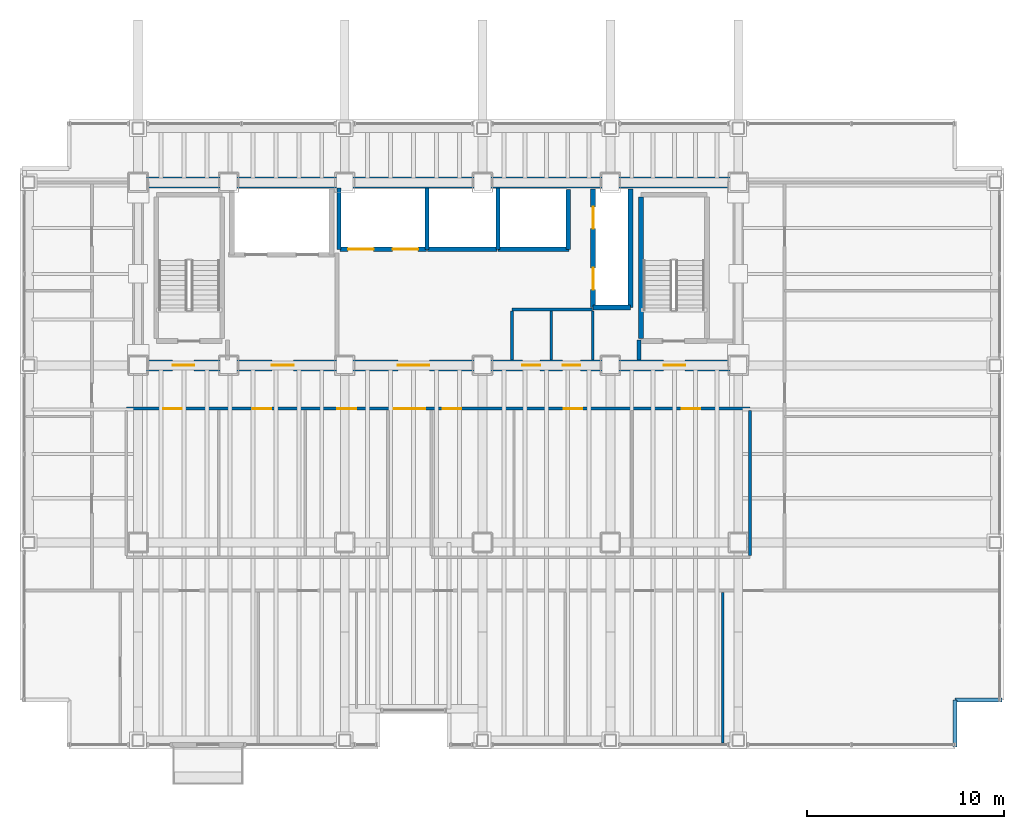
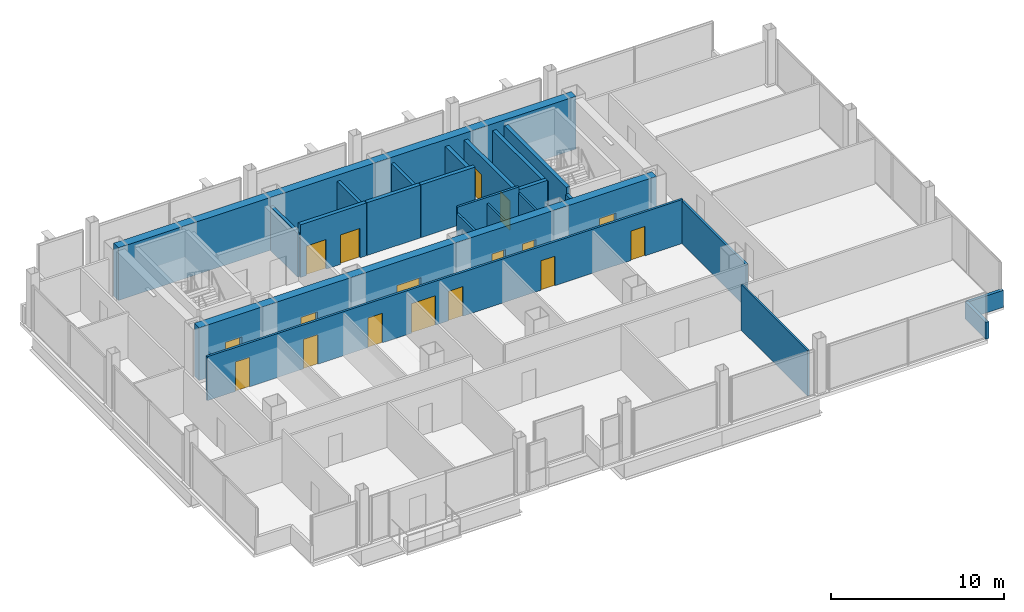
# One storey, part 19 of 21: 23 walls, 17 doors, 17 openings.
"""IFC4 building model written with IfcOpenShell, lengths in metres."""

from ifc_helpers import new_model, si_unit, direction, frame, frame_2d, origin, place, context, subcontext, project, spatial, rectangle, extrude, material, layer, layer_set, type_object, element, fill, save


model = new_model("IFC4")

# Units and contexts
model_context = context("Model", 3, precision=1e-05, world=origin(), true_north=direction((0.0, 1.0)))
body_context = subcontext(model_context, "Body", "Model", "MODEL_VIEW")
ifc_project = project(units=[si_unit("LENGTHUNIT", "METRE"), si_unit("AREAUNIT", "SQUARE_METRE"), si_unit("VOLUMEUNIT", "CUBIC_METRE"), si_unit("PLANEANGLEUNIT", "RADIAN"), si_unit("MASSUNIT", "GRAM", prefix="KILO")], contexts=[model_context])

# Site, building, storey
site_placement = place(None, origin())
site = spatial("IfcSite", under=ifc_project, at=site_placement, CompositionType="ELEMENT")
building_placement = place(site_placement, origin())
building = spatial("IfcBuilding", under=site, at=building_placement, Name="Noeulbin Bourse Tower", CompositionType="ELEMENT")
storey_placement = place(building_placement, frame((0.0, 0.0, 81.10009765625)))
storey = spatial("IfcBuildingStorey", under=building, at=storey_placement, Name="L20", CompositionType="ELEMENT", Elevation=81.10009765625)

# Wall, openings, doors
ifc_material_1 = material(Name="Concrete C60/75", Category="concrete")
ifc_layer_1 = layer(ifc_material_1, 0.550048828125)
ifc_layer_set_1 = layer_set([ifc_layer_1], Name="Concrete C60/75")
wall_type_1 = type_object("IfcWallType", Name="WAL-CORE-550", PredefinedType="SHEAR", material=ifc_layer_set_1)
wall_1_placement = place(storey_placement, frame((13.5, 29.0, 0.0), z_axis=(0.0, 0.0, 1.0), x_axis=(1.0, 0.0, 0.0)))
wall_1 = element("IfcWall", 1, at=wall_1_placement, inside=storey, type_object=wall_type_1, Name="Rear Core South Shear Wall L20", PredefinedType="SHEAR", context=body_context, shape_type="SweptSolid", body=[
    extrude(rectangle(XDim=30.5, YDim=0.550048828125, at=frame_2d((15.25, 0.0))), origin(), (0.0, 0.0, 1.0), 3.719970703125),
])
opening_1_placement = place(wall_1_placement, frame((1.75, 0.0, 0.0)))
opening_1 = element("IfcOpeningElement", 2, at=opening_1_placement, cuts=wall_1, Name="Opening FD-11", PredefinedType="OPENING", context=body_context, shape_type="SweptSolid", body=[
    extrude(rectangle(XDim=1.10009765625, YDim=2.080078125, at=frame_2d((0.550048828125, 1.0400390625))), frame((0.0, 0.284912109375, 0.0), z_axis=(0.0, -1.0, 0.0), x_axis=(1.0, 0.0, 0.0)), (0.0, 0.0, 1.0), 0.570068359375),
])
opening_2_placement = place(wall_1_placement, frame((26.699951171875, 0.0, 0.0)))
opening_2 = element("IfcOpeningElement", 3, at=opening_2_placement, cuts=wall_1, Name="Opening FD-11", PredefinedType="OPENING", context=body_context, shape_type="SweptSolid", body=[
    extrude(rectangle(XDim=1.10009765625, YDim=2.080078125, at=frame_2d((0.550048828125, 1.0400390625))), frame((0.0, 0.284912109375, 0.0), z_axis=(0.0, -1.0, 0.0), x_axis=(1.0, 0.0, 0.0)), (0.0, 0.0, 1.0), 0.570068359375),
])
opening_3_placement = place(wall_1_placement, frame((6.800048828125, 0.0, 0.0)))
opening_3 = element("IfcOpeningElement", 4, at=opening_3_placement, cuts=wall_1, Name="Opening FD-11", PredefinedType="OPENING", context=body_context, shape_type="SweptSolid", body=[
    extrude(rectangle(XDim=1.10009765625, YDim=2.080078125, at=frame_2d((0.550048828125, 1.0400390625))), frame((0.0, 0.284912109375, 0.0), z_axis=(0.0, -1.0, 0.0), x_axis=(1.0, 0.0, 0.0)), (0.0, 0.0, 1.0), 0.570068359375),
])
opening_4_placement = place(wall_1_placement, frame((13.199951171875, 0.0, 0.0)))
opening_4 = element("IfcOpeningElement", 5, at=opening_4_placement, cuts=wall_1, Name="Opening ID-16", PredefinedType="OPENING", context=body_context, shape_type="SweptSolid", body=[
    extrude(rectangle(XDim=1.60009765625, YDim=2.080078125, at=frame_2d((0.800048828125, 1.0400390625))), frame((0.0, 0.284912109375, 0.0), z_axis=(0.0, -1.0, 0.0), x_axis=(1.0, 0.0, 0.0)), (0.0, 0.0, 1.0), 0.570068359375),
])
opening_5_placement = place(wall_1_placement, frame((19.530029296875, 0.0, 0.0)))
opening_5 = element("IfcOpeningElement", 6, at=opening_5_placement, cuts=wall_1, Name="Opening FD-09", PredefinedType="OPENING", context=body_context, shape_type="SweptSolid", body=[
    extrude(rectangle(XDim=0.89990234375, YDim=2.080078125, at=frame_2d((0.449951171875, 1.0400390625))), frame((0.0, 0.284912109375, 0.0), z_axis=(0.0, -1.0, 0.0), x_axis=(1.0, 0.0, 0.0)), (0.0, 0.0, 1.0), 0.570068359375),
])
opening_6_placement = place(wall_1_placement, frame((21.570068359375, 0.0, 0.0)))
opening_6 = element("IfcOpeningElement", 7, at=opening_6_placement, cuts=wall_1, Name="Opening FD-09", PredefinedType="OPENING", context=body_context, shape_type="SweptSolid", body=[
    extrude(rectangle(XDim=0.89990234375, YDim=2.080078125, at=frame_2d((0.449951171875, 1.0400390625))), frame((0.0, 0.284912109375, 0.0), z_axis=(0.0, -1.0, 0.0), x_axis=(1.0, 0.0, 0.0)), (0.0, 0.0, 1.0), 0.570068359375),
])
ifc_material_2 = material(Name="Acoustic Glazed Aluminium", Category="aluminium")
door_type_1 = type_object("IfcDoorType", Name="DR-DBL-1600", OperationType="DOUBLE_DOOR_SINGLE_SWING", PredefinedType="DOOR", material=ifc_material_2)
door_1_placement = place(opening_4_placement, origin())
door_1 = element("IfcDoor", 8, at=door_1_placement, inside=storey, type_object=door_type_1, Name="Passenger Lift Lobby Portal L20", OperationType="DOUBLE_DOOR_SINGLE_SWING", OverallHeight=2.080078125, OverallWidth=1.60009765625, PredefinedType="DOOR", context=body_context, shape_type="SweptSolid", body=[
    extrude(rectangle(XDim=1.60009765625, YDim=2.080078125, at=frame_2d((0.800048828125, 1.0400390625))), frame((0.0, 0.02490234375, 0.0), z_axis=(0.0, -1.0, 0.0), x_axis=(1.0, 0.0, 0.0)), (0.0, 0.0, 1.0), 0.050048828125),
])
fill(opening_4, door_1)
ifc_material_3 = material(Name="Fire-Rated Timber Core", Category="wood")
door_type_2 = type_object("IfcDoorType", Name="DR-FD30-900", OperationType="SINGLE_SWING_RIGHT", PredefinedType="DOOR", material=ifc_material_3)
door_2_placement = place(opening_5_placement, origin())
door_2 = element("IfcDoor", 9, at=door_2_placement, inside=storey, type_object=door_type_2, Name="Interior Door L20-05", OperationType="SINGLE_SWING_LEFT", OverallHeight=2.080078125, OverallWidth=0.89990234375, PredefinedType="DOOR", context=body_context, shape_type="SweptSolid", body=[
    extrude(rectangle(XDim=0.89990234375, YDim=2.080078125, at=frame_2d((0.449951171875, 1.0400390625))), frame((0.0, 0.02490234375, 0.0), z_axis=(0.0, -1.0, 0.0), x_axis=(1.0, 0.0, 0.0)), (0.0, 0.0, 1.0), 0.050048828125),
])
fill(opening_5, door_2)
door_3_placement = place(opening_6_placement, origin())
door_3 = element("IfcDoor", 10, at=door_3_placement, inside=storey, type_object=door_type_2, Name="Interior Door L20-06", OperationType="SINGLE_SWING_RIGHT", OverallHeight=2.080078125, OverallWidth=0.89990234375, PredefinedType="DOOR", context=body_context, shape_type="SweptSolid", body=[
    extrude(rectangle(XDim=0.89990234375, YDim=2.080078125, at=frame_2d((0.449951171875, 1.0400390625))), frame((0.0, 0.02490234375, 0.0), z_axis=(0.0, -1.0, 0.0), x_axis=(1.0, 0.0, 0.0)), (0.0, 0.0, 1.0), 0.050048828125),
])
fill(opening_6, door_3)
ifc_material_4 = material(Name="Fire-Rated Insulated Steel", Category="steel")
door_type_3 = type_object("IfcDoorType", Name="DR-FD60-1100", OperationType="SINGLE_SWING_LEFT", PredefinedType="DOOR", material=ifc_material_4)
door_4_placement = place(opening_1_placement, origin())
door_4 = element("IfcDoor", 11, at=door_4_placement, inside=storey, type_object=door_type_3, Name="West Stair Lobby Door L20", OperationType="SINGLE_SWING_LEFT", OverallHeight=2.080078125, OverallWidth=1.10009765625, PredefinedType="DOOR", context=body_context, shape_type="SweptSolid", body=[
    extrude(rectangle(XDim=1.10009765625, YDim=2.080078125, at=frame_2d((0.550048828125, 1.0400390625))), frame((0.0, 0.02490234375, 0.0), z_axis=(0.0, -1.0, 0.0), x_axis=(1.0, 0.0, 0.0)), (0.0, 0.0, 1.0), 0.050048828125),
])
fill(opening_1, door_4)
door_5_placement = place(opening_2_placement, origin())
door_5 = element("IfcDoor", 12, at=door_5_placement, inside=storey, type_object=door_type_3, Name="East Stair Lobby Door L20", OperationType="SINGLE_SWING_RIGHT", OverallHeight=2.080078125, OverallWidth=1.10009765625, PredefinedType="DOOR", context=body_context, shape_type="SweptSolid", body=[
    extrude(rectangle(XDim=1.10009765625, YDim=2.080078125, at=frame_2d((0.550048828125, 1.0400390625))), frame((0.0, 0.02490234375, 0.0), z_axis=(0.0, -1.0, 0.0), x_axis=(1.0, 0.0, 0.0)), (0.0, 0.0, 1.0), 0.050048828125),
])
fill(opening_2, door_5)
door_6_placement = place(opening_3_placement, origin())
door_6 = element("IfcDoor", 13, at=door_6_placement, inside=storey, type_object=door_type_3, Name="Firefighting Lobby Door L20", OperationType="SINGLE_SWING_LEFT", OverallHeight=2.080078125, OverallWidth=1.10009765625, PredefinedType="DOOR", context=body_context, shape_type="SweptSolid", body=[
    extrude(rectangle(XDim=1.10009765625, YDim=2.080078125, at=frame_2d((0.550048828125, 1.0400390625))), frame((0.0, 0.02490234375, 0.0), z_axis=(0.0, -1.0, 0.0), x_axis=(1.0, 0.0, 0.0)), (0.0, 0.0, 1.0), 0.050048828125),
])
fill(opening_3, door_6)

# Walls
wall_2_placement = place(storey_placement, frame((13.5, 38.300048828125, 0.0), z_axis=(0.0, 0.0, 1.0), x_axis=(1.0, 0.0, 0.0)))
element("IfcWall", 14, at=wall_2_placement, inside=storey, type_object=wall_type_1, Name="Rear Core North Shear Wall L20", PredefinedType="SHEAR", context=body_context, shape_type="SweptSolid", body=[
    extrude(rectangle(XDim=30.5, YDim=0.550048828125, at=frame_2d((15.25, 0.0))), origin(), (0.0, 0.0, 1.0), 3.719970703125),
])
ifc_material_5 = material(Name="Concrete C40/50", Category="concrete")
ifc_layer_2 = layer(ifc_material_5, 0.199951171875)
ifc_layer_set_2 = layer_set([ifc_layer_2], Name="Concrete C40/50")
wall_type_2 = type_object("IfcWallType", Name="WAL-FIRE-200", PredefinedType="STANDARD", material=ifc_layer_set_2)
wall_3_placement = place(storey_placement, frame((38.949951171875, 29.284912109375, 0.0), z_axis=(0.0, 0.0, 1.0), x_axis=(0.0, 1.0, 0.0)))
element("IfcWall", 15, at=wall_3_placement, inside=storey, type_object=wall_type_2, Name="Interior Partition Wall L20-14", PredefinedType="STANDARD", context=body_context, shape_type="SweptSolid", body=[
    extrude(rectangle(XDim=1.01513671875, YDim=0.199951171875, at=frame_2d((0.507568359375, 0.0))), origin(), (0.0, 0.0, 1.0), 3.2998046875),
])
ifc_layer_3 = layer(ifc_material_5, 0.199951171875)
ifc_layer_set_3 = layer_set([ifc_layer_3], Name="Concrete C40/50")
wall_type_3 = type_object("IfcWallType", Name="WAL-PAR-200", PredefinedType="PARAPET", material=ifc_layer_set_3)
for number, where, z_axis, x_axis, name in (
    (16, (55.0, 9.60009765625, 0.0), (0.0, 0.0, 1.0), (0.0, 1.0, 0.0), "Corner Notch Parapet L20-SE1"),
    (17, (55.0, 12.0, 0.0), (0.0, 0.0, 1.0), (1.0, 0.0, 0.0), "Corner Notch Parapet L20-SE2"),
):
    element("IfcWall", number, at=place(storey_placement, frame(where, z_axis=z_axis, x_axis=x_axis)), inside=storey, type_object=wall_type_3, Name=name, PredefinedType="PARAPET", context=body_context, shape_type="SweptSolid", body=[
        extrude(rectangle(XDim=2.39990234375, YDim=0.199951171875, at=frame_2d((1.199951171875, 0.0))), origin(), (0.0, 0.0, 1.0), 1.199951171875),
    ])
ifc_material_6 = material(Name="Steel Stud Gypsum Partition", Category="steel")
ifc_layer_4 = layer(ifc_material_6, 0.1201171875)
ifc_layer_set_4 = layer_set([ifc_layer_4], Name="Steel Stud Gypsum Partition")
wall_type_4 = type_object("IfcWallType", Name="WAL-PRT-120", PredefinedType="PARTITIONING", material=ifc_layer_set_4)
for number, where, z_axis, x_axis, name in (
    (18, (36.60009765625, 29.284912109375, 0.0), (0.0, 0.0, 1.0), (0.0, 1.0, 0.0), "Interior Partition Wall L20-17"),
    (19, (34.5, 29.284912109375, 0.0), (0.0, 0.0, 1.0), (0.0, 1.0, 0.0), "Interior Partition Wall L20-18"),
):
    element("IfcWall", number, at=place(storey_placement, frame(where, z_axis=z_axis, x_axis=x_axis)), inside=storey, type_object=wall_type_4, Name=name, PredefinedType="PARTITIONING", context=body_context, shape_type="SweptSolid", body=[
        extrude(rectangle(XDim=2.47998046875, YDim=0.1201171875, at=frame_2d((1.239990234375, 0.0))), origin(), (0.0, 0.0, 1.0), 3.2998046875),
    ])
wall_4_placement = place(storey_placement, frame((43.199951171875, 9.81005859375, 0.0), z_axis=(0.0, 0.0, 1.0), x_axis=(0.0, 1.0, 0.0)))
element("IfcWall", 20, at=wall_4_placement, inside=storey, type_object=wall_type_4, Name="Interior Partition Wall L20-29", PredefinedType="PARTITIONING", context=body_context, shape_type="SweptSolid", body=[
    extrude(rectangle(XDim=7.655029296875, YDim=0.1201171875, at=frame_2d((3.82763671875, 0.0))), origin(), (0.0, 0.0, 1.0), 3.2119140625),
])
ifc_material_7 = material(Name="Steel Stud Acoustic Gypsum Board", Category="steel")
ifc_layer_5 = layer(ifc_material_7, 0.14990234375)
ifc_layer_set_5 = layer_set([ifc_layer_5], Name="Steel Stud Acoustic Gypsum Board")
wall_type_5 = type_object("IfcWallType", Name="WAL-PRT-150", PredefinedType="PARTITIONING", material=ifc_layer_set_5)
wall_5_placement = place(storey_placement, frame((32.5, 31.85009765625, 0.0), z_axis=(0.0, 0.0, 1.0), x_axis=(1.0, 0.0, 0.0)))
element("IfcWall", 21, at=wall_5_placement, inside=storey, type_object=wall_type_5, Name="Interior Partition Wall L20-02", PredefinedType="PARTITIONING", context=body_context, shape_type="SweptSolid", body=[
    extrude(rectangle(XDim=4.10009765625, YDim=0.14990234375, at=frame_2d((2.050048828125, 0.0))), origin(), (0.0, 0.0, 1.0), 3.719970703125),
])

# Wall, openings, doors
wall_6_placement = place(storey_placement, frame((12.89990234375, 26.800048828125, 0.0), z_axis=(0.0, 0.0, 1.0), x_axis=(1.0, 0.0, 0.0)))
wall_6 = element("IfcWall", 22, at=wall_6_placement, inside=storey, type_object=wall_type_5, Name="Interior Partition Wall L20-03", PredefinedType="PARTITIONING", context=body_context, shape_type="SweptSolid", body=[
    extrude(rectangle(XDim=31.7001953125, YDim=0.14990234375, at=frame_2d((15.85009765625, 0.0))), origin(), (0.0, 0.0, 1.0), 3.099853515625),
])
opening_7_placement = place(wall_6_placement, frame((13.60009765625, 0.0, 0.0)))
opening_7 = element("IfcOpeningElement", 23, at=opening_7_placement, cuts=wall_6, Name="Opening ID-16", PredefinedType="OPENING", context=body_context, shape_type="SweptSolid", body=[
    extrude(rectangle(XDim=1.60009765625, YDim=2.080078125, at=frame_2d((0.800048828125, 1.0400390625))), frame((0.0, 0.0849609375, 0.0), z_axis=(0.0, -1.0, 0.0), x_axis=(1.0, 0.0, 0.0)), (0.0, 0.0, 1.0), 0.169921875),
])
opening_8_placement = place(wall_6_placement, frame((1.875, 0.0, 0.0)))
opening_8 = element("IfcOpeningElement", 24, at=opening_8_placement, cuts=wall_6, Name="Opening ID-09", PredefinedType="OPENING", context=body_context, shape_type="SweptSolid", body=[
    extrude(rectangle(XDim=0.949951171875, YDim=2.080078125, at=frame_2d((0.47509765625, 1.0400390625))), frame((0.0, 0.0849609375, 0.0), z_axis=(0.0, -1.0, 0.0), x_axis=(1.0, 0.0, 0.0)), (0.0, 0.0, 1.0), 0.169921875),
])
opening_9_placement = place(wall_6_placement, frame((6.425048828125, 0.0, 0.0)))
opening_9 = element("IfcOpeningElement", 25, at=opening_9_placement, cuts=wall_6, Name="Opening ID-09", PredefinedType="OPENING", context=body_context, shape_type="SweptSolid", body=[
    extrude(rectangle(XDim=0.949951171875, YDim=2.080078125, at=frame_2d((0.47509765625, 1.0400390625))), frame((0.0, 0.0849609375, 0.0), z_axis=(0.0, -1.0, 0.0), x_axis=(1.0, 0.0, 0.0)), (0.0, 0.0, 1.0), 0.169921875),
])
opening_10_placement = place(wall_6_placement, frame((10.72509765625, 0.0, 0.0)))
opening_10 = element("IfcOpeningElement", 26, at=opening_10_placement, cuts=wall_6, Name="Opening ID-09", PredefinedType="OPENING", context=body_context, shape_type="SweptSolid", body=[
    extrude(rectangle(XDim=0.949951171875, YDim=2.080078125, at=frame_2d((0.47509765625, 1.0400390625))), frame((0.0, 0.0849609375, 0.0), z_axis=(0.0, -1.0, 0.0), x_axis=(1.0, 0.0, 0.0)), (0.0, 0.0, 1.0), 0.169921875),
])
opening_11_placement = place(wall_6_placement, frame((16.074951171875, 0.0, 0.0)))
opening_11 = element("IfcOpeningElement", 27, at=opening_11_placement, cuts=wall_6, Name="Opening ID-09", PredefinedType="OPENING", context=body_context, shape_type="SweptSolid", body=[
    extrude(rectangle(XDim=0.949951171875, YDim=2.080078125, at=frame_2d((0.47509765625, 1.0400390625))), frame((0.0, 0.0849609375, 0.0), z_axis=(0.0, -1.0, 0.0), x_axis=(1.0, 0.0, 0.0)), (0.0, 0.0, 1.0), 0.169921875),
])
opening_12_placement = place(wall_6_placement, frame((22.22509765625, 0.0, 0.0)))
opening_12 = element("IfcOpeningElement", 28, at=opening_12_placement, cuts=wall_6, Name="Opening ID-09", PredefinedType="OPENING", context=body_context, shape_type="SweptSolid", body=[
    extrude(rectangle(XDim=0.949951171875, YDim=2.080078125, at=frame_2d((0.47509765625, 1.0400390625))), frame((0.0, 0.0849609375, 0.0), z_axis=(0.0, -1.0, 0.0), x_axis=(1.0, 0.0, 0.0)), (0.0, 0.0, 1.0), 0.169921875),
])
opening_13_placement = place(wall_6_placement, frame((28.22509765625, 0.0, 0.0)))
opening_13 = element("IfcOpeningElement", 29, at=opening_13_placement, cuts=wall_6, Name="Opening ID-09", PredefinedType="OPENING", context=body_context, shape_type="SweptSolid", body=[
    extrude(rectangle(XDim=0.949951171875, YDim=2.080078125, at=frame_2d((0.47509765625, 1.0400390625))), frame((0.0, 0.0849609375, 0.0), z_axis=(0.0, -1.0, 0.0), x_axis=(1.0, 0.0, 0.0)), (0.0, 0.0, 1.0), 0.169921875),
])
door_7_placement = place(opening_7_placement, origin())
door_7 = element("IfcDoor", 30, at=door_7_placement, inside=storey, type_object=door_type_1, Name="Interior Door L20-07", OperationType="DOUBLE_DOOR_SINGLE_SWING", OverallHeight=2.080078125, OverallWidth=1.60009765625, PredefinedType="DOOR", context=body_context, shape_type="SweptSolid", body=[
    extrude(rectangle(XDim=1.60009765625, YDim=2.080078125, at=frame_2d((0.800048828125, 1.0400390625))), frame((0.0, 0.02490234375, 0.0), z_axis=(0.0, -1.0, 0.0), x_axis=(1.0, 0.0, 0.0)), (0.0, 0.0, 1.0), 0.050048828125),
])
fill(opening_7, door_7)
ifc_material_8 = material(Name="Acoustic Solid-Core Timber", Category="wood")
door_type_4 = type_object("IfcDoorType", Name="DR-SINGLE-950", OperationType="SINGLE_SWING_LEFT", PredefinedType="DOOR", material=ifc_material_8)
door_8_placement = place(opening_8_placement, origin())
door_8 = element("IfcDoor", 31, at=door_8_placement, inside=storey, type_object=door_type_4, Name="Interior Door L20-14", OperationType="SINGLE_SWING_RIGHT", OverallHeight=2.080078125, OverallWidth=0.949951171875, PredefinedType="DOOR", context=body_context, shape_type="SweptSolid", body=[
    extrude(rectangle(XDim=0.949951171875, YDim=2.080078125, at=frame_2d((0.47509765625, 1.0400390625))), frame((0.0, 0.02490234375, 0.0), z_axis=(0.0, -1.0, 0.0), x_axis=(1.0, 0.0, 0.0)), (0.0, 0.0, 1.0), 0.050048828125),
])
fill(opening_8, door_8)
door_9_placement = place(opening_9_placement, origin())
door_9 = element("IfcDoor", 32, at=door_9_placement, inside=storey, type_object=door_type_4, Name="Interior Door L20-15", OperationType="SINGLE_SWING_LEFT", OverallHeight=2.080078125, OverallWidth=0.949951171875, PredefinedType="DOOR", context=body_context, shape_type="SweptSolid", body=[
    extrude(rectangle(XDim=0.949951171875, YDim=2.080078125, at=frame_2d((0.47509765625, 1.0400390625))), frame((0.0, 0.02490234375, 0.0), z_axis=(0.0, -1.0, 0.0), x_axis=(1.0, 0.0, 0.0)), (0.0, 0.0, 1.0), 0.050048828125),
])
fill(opening_9, door_9)
door_10_placement = place(opening_10_placement, origin())
door_10 = element("IfcDoor", 33, at=door_10_placement, inside=storey, type_object=door_type_4, Name="Interior Door L20-16", OperationType="SINGLE_SWING_RIGHT", OverallHeight=2.080078125, OverallWidth=0.949951171875, PredefinedType="DOOR", context=body_context, shape_type="SweptSolid", body=[
    extrude(rectangle(XDim=0.949951171875, YDim=2.080078125, at=frame_2d((0.47509765625, 1.0400390625))), frame((0.0, 0.02490234375, 0.0), z_axis=(0.0, -1.0, 0.0), x_axis=(1.0, 0.0, 0.0)), (0.0, 0.0, 1.0), 0.050048828125),
])
fill(opening_10, door_10)
door_11_placement = place(opening_11_placement, origin())
door_11 = element("IfcDoor", 34, at=door_11_placement, inside=storey, type_object=door_type_4, Name="Interior Door L20-17", OperationType="SINGLE_SWING_LEFT", OverallHeight=2.080078125, OverallWidth=0.949951171875, PredefinedType="DOOR", context=body_context, shape_type="SweptSolid", body=[
    extrude(rectangle(XDim=0.949951171875, YDim=2.080078125, at=frame_2d((0.47509765625, 1.0400390625))), frame((0.0, 0.02490234375, 0.0), z_axis=(0.0, -1.0, 0.0), x_axis=(1.0, 0.0, 0.0)), (0.0, 0.0, 1.0), 0.050048828125),
])
fill(opening_11, door_11)
door_12_placement = place(opening_12_placement, origin())
door_12 = element("IfcDoor", 35, at=door_12_placement, inside=storey, type_object=door_type_4, Name="Interior Door L20-18", OperationType="SINGLE_SWING_RIGHT", OverallHeight=2.080078125, OverallWidth=0.949951171875, PredefinedType="DOOR", context=body_context, shape_type="SweptSolid", body=[
    extrude(rectangle(XDim=0.949951171875, YDim=2.080078125, at=frame_2d((0.47509765625, 1.0400390625))), frame((0.0, 0.02490234375, 0.0), z_axis=(0.0, -1.0, 0.0), x_axis=(1.0, 0.0, 0.0)), (0.0, 0.0, 1.0), 0.050048828125),
])
fill(opening_12, door_12)
door_13_placement = place(opening_13_placement, origin())
door_13 = element("IfcDoor", 36, at=door_13_placement, inside=storey, type_object=door_type_4, Name="Interior Door L20-19", OperationType="SINGLE_SWING_LEFT", OverallHeight=2.080078125, OverallWidth=0.949951171875, PredefinedType="DOOR", context=body_context, shape_type="SweptSolid", body=[
    extrude(rectangle(XDim=0.949951171875, YDim=2.080078125, at=frame_2d((0.47509765625, 1.0400390625))), frame((0.0, 0.02490234375, 0.0), z_axis=(0.0, -1.0, 0.0), x_axis=(1.0, 0.0, 0.0)), (0.0, 0.0, 1.0), 0.050048828125),
])
fill(opening_13, door_13)

# Walls
wall_7_placement = place(storey_placement, frame((32.5, 29.284912109375, 0.0), z_axis=(0.0, 0.0, 1.0), x_axis=(0.0, 1.0, 0.0)))
element("IfcWall", 37, at=wall_7_placement, inside=storey, type_object=wall_type_5, Name="Interior Partition Wall L20-16", PredefinedType="PARTITIONING", context=body_context, shape_type="SweptSolid", body=[
    extrude(rectangle(XDim=2.47998046875, YDim=0.14990234375, at=frame_2d((1.239990234375, 0.0))), origin(), (0.0, 0.0, 1.0), 3.2998046875),
])
wall_8_placement = place(storey_placement, frame((44.60009765625, 19.3349609375, 0.0), z_axis=(0.0, 0.0, 1.0), x_axis=(0.0, 1.0, 0.0)))
element("IfcWall", 38, at=wall_8_placement, inside=storey, type_object=wall_type_5, Name="Interior Partition Wall L20-24", PredefinedType="PARTITIONING", context=body_context, shape_type="SweptSolid", body=[
    extrude(rectangle(XDim=7.380126953125, YDim=0.14990234375, at=frame_2d((3.68994140625, 0.0))), origin(), (0.0, 0.0, 1.0), 3.0),
])
ifc_layer_6 = layer(ifc_material_5, 0.25)
ifc_layer_set_6 = layer_set([ifc_layer_6], Name="Concrete C40/50")
wall_type_6 = type_object("IfcWallType", Name="WAL-SHFT-250", PredefinedType="STANDARD", material=ifc_layer_set_6)
wall_9_placement = place(storey_placement, frame((39.054931640625, 30.360107421875, 0.0), z_axis=(0.0, 0.0, 1.0), x_axis=(0.0, 1.0, 0.0)))
element("IfcWall", 39, at=wall_9_placement, inside=storey, type_object=wall_type_6, Name="Stair ST-2 West Shaft Wall L20", PredefinedType="STANDARD", context=body_context, shape_type="SweptSolid", body=[
    extrude(rectangle(XDim=7.183837890625, YDim=0.25, at=frame_2d((3.591796875, 0.0))), origin(), (0.0, 0.0, 1.0), 3.719970703125),
])

# Wall, openings, doors
wall_10_placement = place(storey_placement, frame((36.6201171875, 31.949951171875, 0.0), z_axis=(0.0, 0.0, 1.0), x_axis=(0.0, 1.0, 0.0)))
wall_10 = element("IfcWall", 40, at=wall_10_placement, inside=storey, type_object=wall_type_6, Name="Service Lift Shaft Wall L20", PredefinedType="STANDARD", context=body_context, shape_type="SweptSolid", body=[
    extrude(rectangle(XDim=6.0, YDim=0.25, at=frame_2d((3.0, 0.0))), origin(), (0.0, 0.0, 1.0), 3.2998046875),
])
opening_14_placement = place(wall_10_placement, frame((0.89990234375, 0.0, 0.0)))
opening_14 = element("IfcOpeningElement", 41, at=opening_14_placement, cuts=wall_10, Name="Opening LD-11", PredefinedType="OPENING", context=body_context, shape_type="SweptSolid", body=[
    extrude(rectangle(XDim=1.10009765625, YDim=2.080078125, at=frame_2d((0.550048828125, 1.0400390625))), frame((0.0, 0.135009765625, 0.0), z_axis=(0.0, -1.0, 0.0), x_axis=(1.0, 0.0, 0.0)), (0.0, 0.0, 1.0), 0.27001953125),
])
opening_15_placement = place(wall_10_placement, frame((4.0, 0.0, 0.0)))
opening_15 = element("IfcOpeningElement", 42, at=opening_15_placement, cuts=wall_10, Name="Opening LD-11", PredefinedType="OPENING", context=body_context, shape_type="SweptSolid", body=[
    extrude(rectangle(XDim=1.10009765625, YDim=2.080078125, at=frame_2d((0.550048828125, 1.0400390625))), frame((0.0, 0.135009765625, 0.0), z_axis=(0.0, -1.0, 0.0), x_axis=(1.0, 0.0, 0.0)), (0.0, 0.0, 1.0), 0.27001953125),
])
ifc_material_9 = material(Name="Brushed Stainless Steel 316", Category="steel")
door_type_5 = type_object("IfcDoorType", Name="DR-LIFT-1100", OperationType="SLIDING_TO_LEFT", PredefinedType="DOOR", material=ifc_material_9)
door_14_placement = place(opening_14_placement, origin())
door_14 = element("IfcDoor", 43, at=door_14_placement, inside=storey, type_object=door_type_5, Name="Lift Landing Door LD-EL-01-L20", OperationType="SLIDING_TO_LEFT", OverallHeight=2.080078125, OverallWidth=1.10009765625, PredefinedType="DOOR", context=body_context, shape_type="SweptSolid", body=[
    extrude(rectangle(XDim=1.10009765625, YDim=2.080078125, at=frame_2d((0.550048828125, 1.0400390625))), frame((0.0, 0.02490234375, 0.0), z_axis=(0.0, -1.0, 0.0), x_axis=(1.0, 0.0, 0.0)), (0.0, 0.0, 1.0), 0.050048828125),
])
fill(opening_14, door_14)
door_15_placement = place(opening_15_placement, origin())
door_15 = element("IfcDoor", 44, at=door_15_placement, inside=storey, type_object=door_type_5, Name="Lift Landing Door LD-SV-01-L20", OperationType="SLIDING_TO_LEFT", OverallHeight=2.080078125, OverallWidth=1.10009765625, PredefinedType="DOOR", context=body_context, shape_type="SweptSolid", body=[
    extrude(rectangle(XDim=1.10009765625, YDim=2.080078125, at=frame_2d((0.550048828125, 1.0400390625))), frame((0.0, 0.02490234375, 0.0), z_axis=(0.0, -1.0, 0.0), x_axis=(1.0, 0.0, 0.0)), (0.0, 0.0, 1.0), 0.050048828125),
])
fill(opening_15, door_15)

# Walls
wall_11_placement = place(storey_placement, frame((38.52001953125, 31.949951171875, 0.0), z_axis=(0.0, 0.0, 1.0), x_axis=(0.0, 1.0, 0.0)))
element("IfcWall", 45, at=wall_11_placement, inside=storey, type_object=wall_type_6, Name="Service Lift East Shaft Wall L20", PredefinedType="STANDARD", context=body_context, shape_type="SweptSolid", body=[
    extrude(rectangle(XDim=6.0, YDim=0.25, at=frame_2d((3.0, 0.0))), origin(), (0.0, 0.0, 1.0), 3.2998046875),
])
wall_12_placement = place(storey_placement, frame((36.6201171875, 31.949951171875, 0.0), z_axis=(0.0, 0.0, 1.0), x_axis=(1.0, 0.0, 0.0)))
element("IfcWall", 46, at=wall_12_placement, inside=storey, type_object=wall_type_6, Name="Service Lift South Shaft Wall L20", PredefinedType="STANDARD", context=body_context, shape_type="SweptSolid", body=[
    extrude(rectangle(XDim=1.89990234375, YDim=0.25, at=frame_2d((0.949951171875, 0.0))), origin(), (0.0, 0.0, 1.0), 3.47998046875),
])
wall_13_placement = place(storey_placement, frame((35.360107421875, 34.89990234375, 0.0), z_axis=(0.0, 0.0, 1.0), x_axis=(0.0, 1.0, 0.0)))
element("IfcWall", 47, at=wall_13_placement, inside=storey, type_object=wall_type_6, Name="High-Rise Lift East Shaft Wall L20", PredefinedType="STANDARD", context=body_context, shape_type="SweptSolid", body=[
    extrude(rectangle(XDim=3.050048828125, YDim=0.25, at=frame_2d((1.52490234375, 0.0))), origin(), (0.0, 0.0, 1.0), 3.2998046875),
])

# Wall, openings, doors
wall_14_placement = place(storey_placement, frame((23.75, 34.89990234375, 0.0), z_axis=(0.0, 0.0, 1.0), x_axis=(1.0, 0.0, 0.0)))
wall_14 = element("IfcWall", 48, at=wall_14_placement, inside=storey, type_object=wall_type_6, Name="Low-Rise Lift Bank Front L20", PredefinedType="STANDARD", context=body_context, shape_type="SweptSolid", body=[
    extrude(rectangle(XDim=4.39990234375, YDim=0.25, at=frame_2d((2.199951171875, 0.0))), origin(), (0.0, 0.0, 1.0), 3.719970703125),
])
opening_16_placement = place(wall_14_placement, frame((0.419921875, 0.0, 0.0)))
opening_16 = element("IfcOpeningElement", 49, at=opening_16_placement, cuts=wall_14, Name="Opening LD-13", PredefinedType="OPENING", context=body_context, shape_type="SweptSolid", body=[
    extrude(rectangle(XDim=1.300048828125, YDim=2.080078125, at=frame_2d((0.64990234375, 1.0400390625))), frame((0.0, 0.135009765625, 0.0), z_axis=(0.0, -1.0, 0.0), x_axis=(1.0, 0.0, 0.0)), (0.0, 0.0, 1.0), 0.27001953125),
])
opening_17_placement = place(wall_14_placement, frame((2.679931640625, 0.0, 0.0)))
opening_17 = element("IfcOpeningElement", 50, at=opening_17_placement, cuts=wall_14, Name="Opening LD-13", PredefinedType="OPENING", context=body_context, shape_type="SweptSolid", body=[
    extrude(rectangle(XDim=1.300048828125, YDim=2.080078125, at=frame_2d((0.64990234375, 1.0400390625))), frame((0.0, 0.135009765625, 0.0), z_axis=(0.0, -1.0, 0.0), x_axis=(1.0, 0.0, 0.0)), (0.0, 0.0, 1.0), 0.27001953125),
])
door_type_6 = type_object("IfcDoorType", Name="DR-LIFT-1300", OperationType="DOUBLE_DOOR_SLIDING", PredefinedType="DOOR", material=ifc_material_9)
door_16_placement = place(opening_16_placement, origin())
door_16 = element("IfcDoor", 51, at=door_16_placement, inside=storey, type_object=door_type_6, Name="Lift Landing Door LD-PL-L1-L20", OperationType="DOUBLE_DOOR_SLIDING", OverallHeight=2.080078125, OverallWidth=1.300048828125, PredefinedType="DOOR", context=body_context, shape_type="SweptSolid", body=[
    extrude(rectangle(XDim=1.300048828125, YDim=2.080078125, at=frame_2d((0.64990234375, 1.0400390625))), frame((0.0, 0.02490234375, 0.0), z_axis=(0.0, -1.0, 0.0), x_axis=(1.0, 0.0, 0.0)), (0.0, 0.0, 1.0), 0.050048828125),
])
fill(opening_16, door_16)
door_17_placement = place(opening_17_placement, origin())
door_17 = element("IfcDoor", 52, at=door_17_placement, inside=storey, type_object=door_type_6, Name="Lift Landing Door LD-PL-L2-L20", OperationType="DOUBLE_DOOR_SLIDING", OverallHeight=2.080078125, OverallWidth=1.300048828125, PredefinedType="DOOR", context=body_context, shape_type="SweptSolid", body=[
    extrude(rectangle(XDim=1.300048828125, YDim=2.080078125, at=frame_2d((0.64990234375, 1.0400390625))), frame((0.0, 0.02490234375, 0.0), z_axis=(0.0, -1.0, 0.0), x_axis=(1.0, 0.0, 0.0)), (0.0, 0.0, 1.0), 0.050048828125),
])
fill(opening_17, door_17)

# Walls
wall_15_placement = place(storey_placement, frame((28.199951171875, 34.89990234375, 0.0), z_axis=(0.0, 0.0, 1.0), x_axis=(1.0, 0.0, 0.0)))
element("IfcWall", 53, at=wall_15_placement, inside=storey, type_object=wall_type_6, Name="Mid-Rise Lift Bank Front L20", PredefinedType="STANDARD", context=body_context, shape_type="SweptSolid", body=[
    extrude(rectangle(XDim=3.550048828125, YDim=0.25, at=frame_2d((1.77490234375, 0.0))), origin(), (0.0, 0.0, 1.0), 3.719970703125),
])
wall_16_placement = place(storey_placement, frame((31.800048828125, 34.89990234375, 0.0), z_axis=(0.0, 0.0, 1.0), x_axis=(1.0, 0.0, 0.0)))
element("IfcWall", 54, at=wall_16_placement, inside=storey, type_object=wall_type_6, Name="High-Rise Lift Bank Front L20", PredefinedType="STANDARD", context=body_context, shape_type="SweptSolid", body=[
    extrude(rectangle(XDim=3.599853515625, YDim=0.25, at=frame_2d((1.7998046875, 0.0))), origin(), (0.0, 0.0, 1.0), 3.719970703125),
])
wall_17_placement = place(storey_placement, frame((23.719970703125, 34.89990234375, 0.0), z_axis=(0.0, 0.0, 1.0), x_axis=(0.0, 1.0, 0.0)))
element("IfcWall", 55, at=wall_17_placement, inside=storey, type_object=wall_type_6, Name="Hoistway Side Shaft Wall L20-PLLW", PredefinedType="STANDARD", context=body_context, shape_type="SweptSolid", body=[
    extrude(rectangle(XDim=3.1201171875, YDim=0.199951171875, at=frame_2d((1.56005859375, 0.0))), origin(), (0.0, 0.0, 1.0), 3.099853515625),
])
for number, where, z_axis, x_axis, name in (
    (56, (28.179931640625, 34.89990234375, 0.0), (0.0, 0.0, 1.0), (0.0, 1.0, 0.0), "Hoistway Side Shaft Wall L20-PLMW"),
    (57, (31.780029296875, 34.89990234375, 0.0), (0.0, 0.0, 1.0), (0.0, 1.0, 0.0), "Hoistway Side Shaft Wall L20-PLHW"),
):
    element("IfcWall", number, at=place(storey_placement, frame(where, z_axis=z_axis, x_axis=x_axis)), inside=storey, type_object=wall_type_6, Name=name, PredefinedType="STANDARD", context=body_context, shape_type="SweptSolid", body=[
        extrude(rectangle(XDim=3.1201171875, YDim=0.199951171875, at=frame_2d((1.56005859375, 0.0))), origin(), (0.0, 0.0, 1.0), 3.2998046875),
    ])

save(model, "model.ifc")
